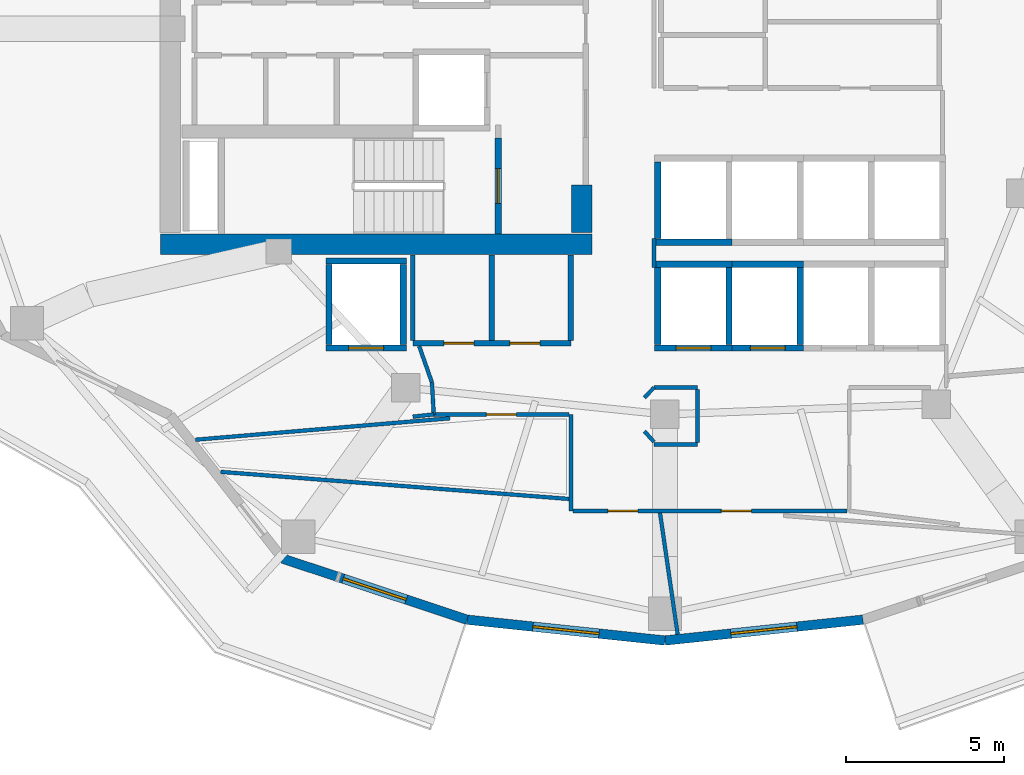
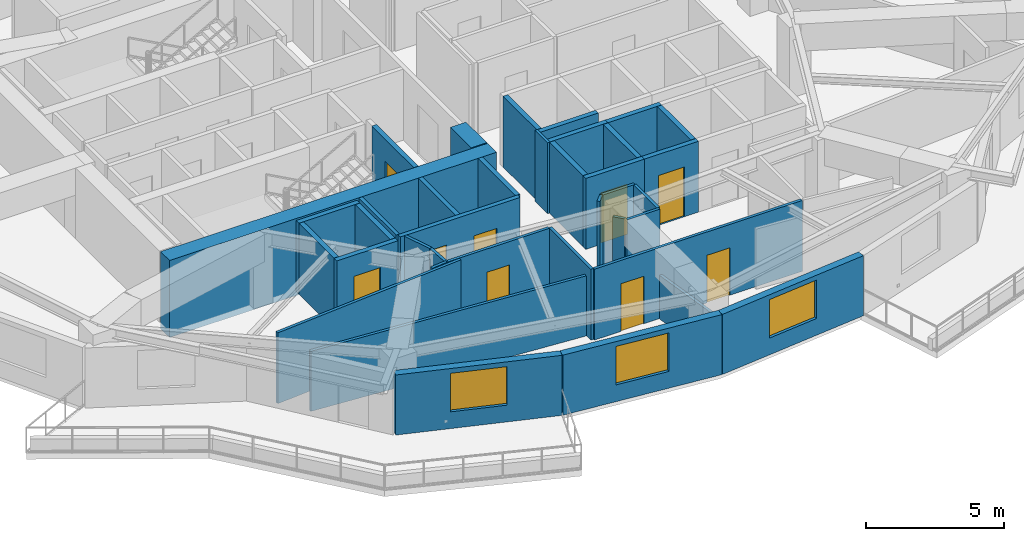
# One storey, part 3 of 12: 38 walls, 9 doors, 3 windows, 12 openings.
"""IFC4 building model written with IfcOpenShell, lengths in metres."""

from ifc_helpers import new_model, si_unit, direction, frame, frame_2d, origin, place, context, subcontext, project, spatial, rectangle, extrude, material, layer, layer_set, type_object, element, fill, save


model = new_model("IFC4")

# Units and contexts
model_context = context("Model", 3, precision=1e-05, world=origin(), true_north=direction((0.0, 1.0)))
body_context = subcontext(model_context, "Body", "Model", "MODEL_VIEW")
ifc_project = project(units=[si_unit("LENGTHUNIT", "METRE"), si_unit("AREAUNIT", "SQUARE_METRE"), si_unit("VOLUMEUNIT", "CUBIC_METRE"), si_unit("PLANEANGLEUNIT", "RADIAN"), si_unit("MASSUNIT", "GRAM", prefix="KILO")], contexts=[model_context])

# Site, building, storey
site_placement = place(None, origin())
site = spatial("IfcSite", under=ifc_project, at=site_placement, CompositionType="ELEMENT")
building_placement = place(site_placement, origin())
building = spatial("IfcBuilding", under=site, at=building_placement, Name="Kolvaren Gate Tower and Convention Centre", CompositionType="ELEMENT")
storey_placement = place(building_placement, frame((0.0, 0.0, 139.300048828125)))
storey = spatial("IfcBuildingStorey", under=building, at=storey_placement, Name="L35", CompositionType="ELEMENT", Elevation=139.300048828125)

# Wall, openings, doors
ifc_material_1 = material(Name="Autoclaved Aerated Masonry Blockwork Class 4 (4.0 MPa)", Category="masonry")
ifc_layer_1 = layer(ifc_material_1, 0.179931640625)
ifc_layer_set_1 = layer_set([ifc_layer_1], Name="Autoclaved Aerated Masonry Blockwork Class 4 (4.0 MPa)")
wall_type_1 = type_object("IfcWallType", Name="ARCH-WL-COMP-180", PredefinedType="SOLIDWALL", material=ifc_layer_set_1)
wall_1_placement = place(storey_placement, frame((22.14990234375, 17.050048828125, 0.0), z_axis=(0.0, 0.0, 1.0), x_axis=(1.0, 0.0, 0.0)))
wall_1 = element("IfcWall", 1, at=wall_1_placement, inside=storey, type_object=wall_type_1, Name="Interior Partition WL-L35-INT-011", PredefinedType="SOLIDWALL", context=body_context, shape_type="SweptSolid", body=[
    extrude(rectangle(XDim=5.0, YDim=0.179931640625, at=frame_2d((2.5, 0.0))), origin(), (0.0, 0.0, 1.0), 3.1298828125),
])
opening_1_placement = place(wall_1_placement, frame((0.97998046875, 0.0, 0.0)))
opening_1 = element("IfcOpeningElement", 2, at=opening_1_placement, cuts=wall_1, Name="Opening DR-01", PredefinedType="OPENING", context=body_context, shape_type="SweptSolid", body=[
    extrude(rectangle(XDim=0.949951171875, YDim=2.10009765625, at=frame_2d((0.47509765625, 1.050048828125))), frame((0.0, 0.099853515625, 0.0), z_axis=(0.0, -1.0, 0.0), x_axis=(1.0, 0.0, 0.0)), (0.0, 0.0, 1.0), 0.199951171875),
])
opening_2_placement = place(wall_1_placement, frame((3.070068359375, 0.0, 0.0)))
opening_2 = element("IfcOpeningElement", 3, at=opening_2_placement, cuts=wall_1, Name="Opening DR-01", PredefinedType="OPENING", context=body_context, shape_type="SweptSolid", body=[
    extrude(rectangle(XDim=0.949951171875, YDim=2.10009765625, at=frame_2d((0.47509765625, 1.050048828125))), frame((0.0, 0.099853515625, 0.0), z_axis=(0.0, -1.0, 0.0), x_axis=(1.0, 0.0, 0.0)), (0.0, 0.0, 1.0), 0.199951171875),
])
ifc_material_2 = material(Name="Painted Architectural Steelwork ASTM A500 Grade C 345 MPa", Category="steel")
door_type_1 = type_object("IfcDoorType", Name="ARCH-DR-RISER-950", OperationType="SINGLE_SWING_RIGHT", PredefinedType="DOOR", material=ifc_material_2)
door_1_placement = place(opening_1_placement, origin())
door_1 = element("IfcDoor", 4, at=door_1_placement, inside=storey, type_object=door_type_1, Name="West Valet Store Door", OperationType="SINGLE_SWING_LEFT", OverallHeight=2.10009765625, OverallWidth=0.949951171875, PredefinedType="DOOR", context=body_context, shape_type="SweptSolid", body=[
    extrude(rectangle(XDim=0.949951171875, YDim=2.10009765625, at=frame_2d((0.47509765625, 1.050048828125))), frame((0.0, 0.02490234375, 0.0), z_axis=(0.0, -1.0, 0.0), x_axis=(1.0, 0.0, 0.0)), (0.0, 0.0, 1.0), 0.050048828125),
])
fill(opening_1, door_1)
door_2_placement = place(opening_2_placement, origin())
door_2 = element("IfcDoor", 5, at=door_2_placement, inside=storey, type_object=door_type_1, Name="Metering Switch Room Door", OperationType="SINGLE_SWING_RIGHT", OverallHeight=2.10009765625, OverallWidth=0.949951171875, PredefinedType="DOOR", context=body_context, shape_type="SweptSolid", body=[
    extrude(rectangle(XDim=0.949951171875, YDim=2.10009765625, at=frame_2d((0.47509765625, 1.050048828125))), frame((0.0, 0.02490234375, 0.0), z_axis=(0.0, -1.0, 0.0), x_axis=(1.0, 0.0, 0.0)), (0.0, 0.0, 1.0), 0.050048828125),
])
fill(opening_2, door_2)

# Walls
for number, where, z_axis, x_axis, name in (
    (6, (24.64990234375, 17.14208984375, 0.0), (0.0, 0.0, 1.0), (0.0, 1.0, 0.0), "Interior Partition WL-L35-INT-013"),
    (7, (27.14990234375, 17.14208984375, 0.0), (0.0, 0.0, 1.0), (0.0, 1.0, 0.0), "Interior Partition WL-L35-INT-015"),
):
    element("IfcWall", number, at=place(storey_placement, frame(where, z_axis=z_axis, x_axis=x_axis)), inside=storey, type_object=wall_type_1, Name=name, PredefinedType="SOLIDWALL", context=body_context, shape_type="SweptSolid", body=[
        extrude(rectangle(XDim=2.705810546875, YDim=0.179931640625, at=frame_2d((1.35302734375, 0.0))), origin(), (0.0, 0.0, 1.0), 3.1298828125),
    ])
ifc_material_3 = material(Name="Fire-Rated Acoustic Gypsum Stud Partition", Category="gypsum")
ifc_layer_2 = layer(ifc_material_3, 0.1201171875)
ifc_layer_set_2 = layer_set([ifc_layer_2], Name="Fire-Rated Acoustic Gypsum Stud Partition")
wall_type_2 = type_object("IfcWallType", Name="ARCH-WL-PART-120", PredefinedType="PARTITIONING", material=ifc_layer_set_2)
wall_2_placement = place(storey_placement, frame((27.14990234375, 11.75, 0.0), z_axis=(0.0, 0.0, 1.0), x_axis=(0.0, 1.0, 0.0)))
element("IfcWall", 8, at=wall_2_placement, inside=storey, type_object=wall_type_2, Name="Interior Partition WL-L35-INT-014", PredefinedType="PARTITIONING", context=body_context, shape_type="SweptSolid", body=[
    extrude(rectangle(XDim=3.050048828125, YDim=0.1201171875, at=frame_2d((1.52490234375, 0.0))), origin(), (0.0, 0.0, 1.0), 3.1298828125),
])
wall_3_placement = place(storey_placement, frame((29.780029296875, 15.64990234375, 0.0), z_axis=(0.0, 0.0, 1.0), x_axis=(1.0, 0.0, 0.0)))
element("IfcWall", 9, at=wall_3_placement, inside=storey, type_object=wall_type_2, Name="Interior Partition WL-L35-INT-029", PredefinedType="PARTITIONING", context=body_context, shape_type="SweptSolid", body=[
    extrude(rectangle(XDim=1.369873046875, YDim=0.1201171875, at=frame_2d((0.68505859375, 0.0))), origin(), (0.0, 0.0, 1.0), 3.1298828125),
])

# Wall, openings, doors
wall_4_placement = place(storey_placement, frame((27.2119140625, 11.75, 0.0), z_axis=(0.0, 0.0, 1.0), x_axis=(1.0, 0.0, 0.0)))
wall_4 = element("IfcWall", 10, at=wall_4_placement, inside=storey, type_object=wall_type_2, Name="Interior Partition WL-L35-INT-032", PredefinedType="PARTITIONING", context=body_context, shape_type="SweptSolid", body=[
    extrude(rectangle(XDim=8.676025390625, YDim=0.1201171875, at=frame_2d((4.337890625, 0.0))), origin(), (0.0, 0.0, 1.0), 3.1298828125),
])
opening_3_placement = place(wall_4_placement, frame((1.105224609375, 0.0, 0.0)))
opening_3 = element("IfcOpeningElement", 11, at=opening_3_placement, cuts=wall_4, Name="Opening DR-01", PredefinedType="OPENING", context=body_context, shape_type="SweptSolid", body=[
    extrude(rectangle(XDim=0.949951171875, YDim=2.10009765625, at=frame_2d((0.47509765625, 1.050048828125))), frame((0.0, 0.070068359375, 0.0), z_axis=(0.0, -1.0, 0.0), x_axis=(1.0, 0.0, 0.0)), (0.0, 0.0, 1.0), 0.14013671875),
])
opening_4_placement = place(wall_4_placement, frame((4.697509765625, 0.0, 0.0)))
opening_4 = element("IfcOpeningElement", 12, at=opening_4_placement, cuts=wall_4, Name="Opening DR-01", PredefinedType="OPENING", context=body_context, shape_type="SweptSolid", body=[
    extrude(rectangle(XDim=0.949951171875, YDim=2.10009765625, at=frame_2d((0.47509765625, 1.050048828125))), frame((0.0, 0.070068359375, 0.0), z_axis=(0.0, -1.0, 0.0), x_axis=(1.0, 0.0, 0.0)), (0.0, 0.0, 1.0), 0.14013671875),
])
door_3_placement = place(opening_3_placement, origin())
door_3 = element("IfcDoor", 13, at=door_3_placement, inside=storey, type_object=door_type_1, Name="Atrium Concierge Reception Door", OperationType="SINGLE_SWING_LEFT", OverallHeight=2.10009765625, OverallWidth=0.949951171875, PredefinedType="DOOR", context=body_context, shape_type="SweptSolid", body=[
    extrude(rectangle(XDim=0.949951171875, YDim=2.10009765625, at=frame_2d((0.47509765625, 1.050048828125))), frame((0.0, 0.02490234375, 0.0), z_axis=(0.0, -1.0, 0.0), x_axis=(1.0, 0.0, 0.0)), (0.0, 0.0, 1.0), 0.050048828125),
])
fill(opening_3, door_3)
door_4_placement = place(opening_4_placement, origin())
door_4 = element("IfcDoor", 14, at=door_4_placement, inside=storey, type_object=door_type_1, Name="Hotel Sky Banquet Salon Door", OperationType="SINGLE_SWING_RIGHT", OverallHeight=2.10009765625, OverallWidth=0.949951171875, PredefinedType="DOOR", context=body_context, shape_type="SweptSolid", body=[
    extrude(rectangle(XDim=0.949951171875, YDim=2.10009765625, at=frame_2d((0.47509765625, 1.050048828125))), frame((0.0, 0.02490234375, 0.0), z_axis=(0.0, -1.0, 0.0), x_axis=(1.0, 0.0, 0.0)), (0.0, 0.0, 1.0), 0.050048828125),
])
fill(opening_4, door_4)

# Wall, opening, door
wall_5_placement = place(storey_placement, frame((22.81396484375, 14.800048828125, 0.0), z_axis=(0.0, 0.0, 1.0), x_axis=(1.0, 0.0, 0.0)))
wall_5 = element("IfcWall", 15, at=wall_5_placement, inside=storey, type_object=wall_type_2, Name="Interior Partition WL-L35-INT-033", PredefinedType="PARTITIONING", context=body_context, shape_type="SweptSolid", body=[
    extrude(rectangle(XDim=4.27392578125, YDim=0.1201171875, at=frame_2d((2.136962890625, 0.0))), origin(), (0.0, 0.0, 1.0), 3.1298828125),
])
opening_5_placement = place(wall_5_placement, frame((1.662109375, 0.0, 0.0)))
opening_5 = element("IfcOpeningElement", 16, at=opening_5_placement, cuts=wall_5, Name="Opening DR-01", PredefinedType="OPENING", context=body_context, shape_type="SweptSolid", body=[
    extrude(rectangle(XDim=0.949951171875, YDim=2.10009765625, at=frame_2d((0.47509765625, 1.050048828125))), frame((0.0, 0.070068359375, 0.0), z_axis=(0.0, -1.0, 0.0), x_axis=(1.0, 0.0, 0.0)), (0.0, 0.0, 1.0), 0.14013671875),
])
door_5_placement = place(opening_5_placement, origin())
door_5 = element("IfcDoor", 17, at=door_5_placement, inside=storey, type_object=door_type_1, Name="Hotel Sky Banquet Salon Door", OperationType="SINGLE_SWING_RIGHT", OverallHeight=2.10009765625, OverallWidth=0.949951171875, PredefinedType="DOOR", context=body_context, shape_type="SweptSolid", body=[
    extrude(rectangle(XDim=0.949951171875, YDim=2.10009765625, at=frame_2d((0.47509765625, 1.050048828125))), frame((0.0, 0.02490234375, 0.0), z_axis=(0.0, -1.0, 0.0), x_axis=(1.0, 0.0, 0.0)), (0.0, 0.0, 1.0), 0.050048828125),
])
fill(opening_5, door_5)

# Walls
wall_6_placement = place(storey_placement, frame((22.756103515625, 15.81103515625, 0.0), z_axis=(0.0, 0.0, 1.0), x_axis=(0.057139047697, -0.998366230012, 0.0)))
element("IfcWall", 18, at=wall_6_placement, inside=storey, type_object=wall_type_2, Name="Interior Partition WL-L35-INT-035", PredefinedType="PARTITIONING", context=body_context, shape_type="SweptSolid", body=[
    extrude(rectangle(XDim=1.0126953125, YDim=0.1201171875, at=frame_2d((0.50634765625, 0.0))), origin(), (0.0, 0.0, 1.0), 3.1298828125),
])
wall_7_placement = place(storey_placement, frame((22.353271484375, 16.9580078125, 0.0), z_axis=(0.0, 0.0, 1.0), x_axis=(0.331370038458, -0.943500873138, 0.0)))
element("IfcWall", 19, at=wall_7_placement, inside=storey, type_object=wall_type_2, Name="Interior Partition WL-L35-INT-036", PredefinedType="PARTITIONING", context=body_context, shape_type="SweptSolid", body=[
    extrude(rectangle(XDim=1.215576171875, YDim=0.1201171875, at=frame_2d((0.60791015625, 0.0))), origin(), (0.0, 0.0, 1.0), 3.1298828125),
])
wall_8_placement = place(storey_placement, frame((29.780029296875, 19.43994140625, 0.0), z_axis=(0.0, 0.0, 1.0), x_axis=(0.0, 1.0, 0.0)))
element("IfcWall", 20, at=wall_8_placement, inside=storey, type_object=wall_type_2, Name="Interior Partition WL-L35-INT-039", PredefinedType="PARTITIONING", context=body_context, shape_type="SweptSolid", body=[
    extrude(rectangle(XDim=0.920166015625, YDim=0.1201171875, at=frame_2d((0.4599609375, 0.0))), origin(), (0.0, 0.0, 1.0), 3.1298828125),
])
wall_9_placement = place(storey_placement, frame((29.47607421875, 15.3330078125, 0.0), z_axis=(0.0, 0.0, 1.0), x_axis=(0.692219273951, 0.721687243043, 0.0)))
element("IfcWall", 21, at=wall_9_placement, inside=storey, type_object=wall_type_2, Name="Interior Partition WL-L35-INT-055", PredefinedType="PARTITIONING", context=body_context, shape_type="SweptSolid", body=[
    extrude(rectangle(XDim=0.439208984375, YDim=0.1201171875, at=frame_2d((0.2197265625, 0.0))), origin(), (0.0, 0.0, 1.0), 3.1298828125),
])
wall_10_placement = place(storey_placement, frame((29.47607421875, 14.26708984375, 0.0), z_axis=(0.0, 0.0, 1.0), x_axis=(0.670659392016, -0.741765448037, 0.0)))
element("IfcWall", 22, at=wall_10_placement, inside=storey, type_object=wall_type_2, Name="Interior Partition WL-L35-INT-056", PredefinedType="PARTITIONING", context=body_context, shape_type="SweptSolid", body=[
    extrude(rectangle(XDim=0.453125, YDim=0.1201171875, at=frame_2d((0.2265625, 0.0))), origin(), (0.0, 0.0, 1.0), 3.1298828125),
])
wall_11_placement = place(storey_placement, frame((29.780029296875, 13.85009765625, 0.0), z_axis=(0.0, 0.0, 1.0), x_axis=(1.0, 0.0, 0.0)))
element("IfcWall", 23, at=wall_11_placement, inside=storey, type_object=wall_type_2, Name="Interior Partition WL-L35-INT-057", PredefinedType="PARTITIONING", context=body_context, shape_type="SweptSolid", body=[
    extrude(rectangle(XDim=1.369873046875, YDim=0.1201171875, at=frame_2d((0.68505859375, 0.0))), origin(), (0.0, 0.0, 1.0), 3.1298828125),
])
wall_12_placement = place(storey_placement, frame((31.14990234375, 13.912109375, 0.0), z_axis=(0.0, 0.0, 1.0), x_axis=(0.0, 1.0, 0.0)))
element("IfcWall", 24, at=wall_12_placement, inside=storey, type_object=wall_type_2, Name="Interior Partition WL-L35-INT-058", PredefinedType="PARTITIONING", context=body_context, shape_type="SweptSolid", body=[
    extrude(rectangle(XDim=1.67578125, YDim=0.1201171875, at=frame_2d((0.837890625, 0.0))), origin(), (0.0, 0.0, 1.0), 3.1298828125),
])
wall_13_placement = place(storey_placement, frame((15.282470703125, 14.000244140625, 0.0), z_axis=(0.0, 0.0, 1.0), x_axis=(0.996466219822, 0.083994480498, 0.0)))
element("IfcWall", 25, at=wall_13_placement, inside=storey, type_object=wall_type_2, Name="Interior Partition WL-L35-INT-059", PredefinedType="PARTITIONING", context=body_context, shape_type="SweptSolid", body=[
    extrude(rectangle(XDim=8.06884765625, YDim=0.1201171875, at=frame_2d((4.034423828125, 0.0))), origin(), (0.0, 0.0, 1.0), 3.1298828125),
])
wall_14_placement = place(storey_placement, frame((16.07763671875, 12.984619140625, 0.0), z_axis=(0.0, 0.0, 1.0), x_axis=(0.996984897733, -0.077595835537, 0.0)))
element("IfcWall", 26, at=wall_14_placement, inside=storey, type_object=wall_type_2, Name="Interior Partition WL-L35-INT-061", PredefinedType="PARTITIONING", context=body_context, shape_type="SweptSolid", body=[
    extrude(rectangle(XDim=11.04345703125, YDim=0.1201171875, at=frame_2d((5.521728515625, 0.0))), origin(), (0.0, 0.0, 1.0), 2.65283203125),
])
wall_15_placement = place(storey_placement, frame((29.968994140625, 11.68798828125, 0.0), z_axis=(0.0, 0.0, 1.0), x_axis=(0.143603994305, -0.989635232204, 0.0)))
element("IfcWall", 27, at=wall_15_placement, inside=storey, type_object=wall_type_2, Name="Interior Partition WL-L35-INT-063", PredefinedType="PARTITIONING", context=body_context, shape_type="SweptSolid", body=[
    extrude(rectangle(XDim=3.883056640625, YDim=0.1201171875, at=frame_2d((1.94140625, 0.0))), origin(), (0.0, 0.0, 1.0), 1.92236328125),
])
wall_16_placement = place(storey_placement, frame((22.15087890625, 14.729736328125, 0.0), z_axis=(0.0, 0.0, 1.0), x_axis=(0.994424911767, 0.105447118774, 0.0)))
element("IfcWall", 28, at=wall_16_placement, inside=storey, type_object=wall_type_2, Name="Interior Partition WL-L35-INT-084", PredefinedType="PARTITIONING", context=body_context, shape_type="SweptSolid", body=[
    extrude(rectangle(XDim=0.666748046875, YDim=0.1201171875, at=frame_2d((0.33349609375, 0.0))), origin(), (0.0, 0.0, 1.0), 3.1298828125),
])
ifc_layer_3 = layer(ifc_material_1, 0.199951171875)
ifc_layer_set_3 = layer_set([ifc_layer_3], Name="Autoclaved Aerated Masonry Blockwork Class 4 (4.0 MPa)")
wall_type_3 = type_object("IfcWallType", Name="ARCH-WL-SHAFT-200", PredefinedType="SOLIDWALL", material=ifc_layer_set_3)
wall_17_placement = place(storey_placement, frame((19.39990234375, 19.64990234375, 0.0), z_axis=(0.0, 0.0, 1.0), x_axis=(1.0, 0.0, 0.0)))
element("IfcWall", 29, at=wall_17_placement, inside=storey, type_object=wall_type_3, Name="Elevator SV-01 L35 Fire Shaft Wall N", PredefinedType="SOLIDWALL", context=body_context, shape_type="SweptSolid", body=[
    extrude(rectangle(XDim=2.550048828125, YDim=0.199951171875, at=frame_2d((1.27490234375, 0.0))), origin(), (0.0, 0.0, 1.0), 3.1298828125),
])

# Wall, opening, door
wall_18_placement = place(storey_placement, frame((19.39990234375, 16.89990234375, 0.0), z_axis=(0.0, 0.0, 1.0), x_axis=(1.0, 0.0, 0.0)))
wall_18 = element("IfcWall", 30, at=wall_18_placement, inside=storey, type_object=wall_type_3, Name="Elevator SV-01 L35 Fire Shaft Wall S", PredefinedType="SOLIDWALL", context=body_context, shape_type="SweptSolid", body=[
    extrude(rectangle(XDim=2.550048828125, YDim=0.199951171875, at=frame_2d((1.27490234375, 0.0))), origin(), (0.0, 0.0, 1.0), 3.1298828125),
])
opening_6_placement = place(wall_18_placement, frame((0.72509765625, 0.0, 0.0)))
opening_6 = element("IfcOpeningElement", 31, at=opening_6_placement, cuts=wall_18, Name="Opening LD", PredefinedType="OPENING", context=body_context, shape_type="SweptSolid", body=[
    extrude(rectangle(XDim=1.10009765625, YDim=2.199951171875, at=frame_2d((0.550048828125, 1.10009765625))), frame((0.0, 0.10986328125, 0.0), z_axis=(0.0, -1.0, 0.0), x_axis=(1.0, 0.0, 0.0)), (0.0, 0.0, 1.0), 0.219970703125),
])
ifc_material_4 = material(Name="Brushed Stainless Steel Grade 316L", Category="steel")
door_type_2 = type_object("IfcDoorType", Name="ARCH-DR-LIFT-1100", OperationType="SLIDING_TO_LEFT", PredefinedType="DOOR", material=ifc_material_4)
door_6_placement = place(opening_6_placement, origin())
door_6 = element("IfcDoor", 32, at=door_6_placement, inside=storey, type_object=door_type_2, Name="Elevator SV-01 L35 Sliding Landing Door", OperationType="SLIDING_TO_LEFT", OverallHeight=2.199951171875, OverallWidth=1.10009765625, PredefinedType="DOOR", context=body_context, shape_type="SweptSolid", body=[
    extrude(rectangle(XDim=1.10009765625, YDim=2.199951171875, at=frame_2d((0.550048828125, 1.10009765625))), frame((0.0, 0.02490234375, 0.0), z_axis=(0.0, -1.0, 0.0), x_axis=(1.0, 0.0, 0.0)), (0.0, 0.0, 1.0), 0.050048828125),
])
fill(opening_6, door_6)

# Walls
for number, where, z_axis, x_axis, name in (
    (33, (19.5, 17.010009765625, 0.0), (0.0, 0.0, 1.0), (0.0, 1.0, 0.0), "Elevator SV-01 L35 Fire Shaft Wall W"),
    (34, (21.85009765625, 17.010009765625, 0.0), (0.0, 0.0, 1.0), (0.0, 1.0, 0.0), "Elevator SV-01 L35 Fire Shaft Wall E"),
):
    element("IfcWall", number, at=place(storey_placement, frame(where, z_axis=z_axis, x_axis=x_axis)), inside=storey, type_object=wall_type_3, Name=name, PredefinedType="SOLIDWALL", context=body_context, shape_type="SweptSolid", body=[
        extrude(rectangle(XDim=2.530029296875, YDim=0.199951171875, at=frame_2d((1.26513671875, 0.0))), origin(), (0.0, 0.0, 1.0), 3.1298828125),
    ])
wall_19_placement = place(storey_placement, frame((29.800048828125, 19.550048828125, 0.0), z_axis=(0.0, 0.0, 1.0), x_axis=(1.0, 0.0, 0.0)))
element("IfcWall", 35, at=wall_19_placement, inside=storey, type_object=wall_type_3, Name="Elevator PL-05 L35 Fire Shaft Wall N", PredefinedType="SOLIDWALL", context=body_context, shape_type="SweptSolid", body=[
    extrude(rectangle(XDim=2.449951171875, YDim=0.199951171875, at=frame_2d((1.22509765625, 0.0))), origin(), (0.0, 0.0, 1.0), 3.1298828125),
])

# Wall, opening, door
wall_20_placement = place(storey_placement, frame((29.800048828125, 16.89990234375, 0.0), z_axis=(0.0, 0.0, 1.0), x_axis=(1.0, 0.0, 0.0)))
wall_20 = element("IfcWall", 36, at=wall_20_placement, inside=storey, type_object=wall_type_3, Name="Elevator PL-05 L35 Fire Shaft Wall S", PredefinedType="SOLIDWALL", context=body_context, shape_type="SweptSolid", body=[
    extrude(rectangle(XDim=2.449951171875, YDim=0.199951171875, at=frame_2d((1.22509765625, 0.0))), origin(), (0.0, 0.0, 1.0), 3.1298828125),
])
opening_7_placement = place(wall_20_placement, frame((0.675048828125, 0.0, 0.0)))
opening_7 = element("IfcOpeningElement", 37, at=opening_7_placement, cuts=wall_20, Name="Opening LD", PredefinedType="OPENING", context=body_context, shape_type="SweptSolid", body=[
    extrude(rectangle(XDim=1.10009765625, YDim=2.199951171875, at=frame_2d((0.550048828125, 1.10009765625))), frame((0.0, 0.10986328125, 0.0), z_axis=(0.0, -1.0, 0.0), x_axis=(1.0, 0.0, 0.0)), (0.0, 0.0, 1.0), 0.219970703125),
])
door_7_placement = place(opening_7_placement, origin())
door_7 = element("IfcDoor", 38, at=door_7_placement, inside=storey, type_object=door_type_2, Name="Elevator PL-05 L35 Sliding Landing Door", OperationType="SLIDING_TO_LEFT", OverallHeight=2.199951171875, OverallWidth=1.10009765625, PredefinedType="DOOR", context=body_context, shape_type="SweptSolid", body=[
    extrude(rectangle(XDim=1.10009765625, YDim=2.199951171875, at=frame_2d((0.550048828125, 1.10009765625))), frame((0.0, 0.02490234375, 0.0), z_axis=(0.0, -1.0, 0.0), x_axis=(1.0, 0.0, 0.0)), (0.0, 0.0, 1.0), 0.050048828125),
])
fill(opening_7, door_7)

# Walls
for number, where, z_axis, x_axis, name in (
    (39, (29.89990234375, 17.010009765625, 0.0), (0.0, 0.0, 1.0), (0.0, 1.0, 0.0), "Elevator PL-05 L35 Fire Shaft Wall W"),
    (40, (32.14990234375, 17.010009765625, 0.0), (0.0, 0.0, 1.0), (0.0, 1.0, 0.0), "Elevator PL-05 L35 Fire Shaft Wall E"),
):
    element("IfcWall", number, at=place(storey_placement, frame(where, z_axis=z_axis, x_axis=x_axis)), inside=storey, type_object=wall_type_3, Name=name, PredefinedType="SOLIDWALL", context=body_context, shape_type="SweptSolid", body=[
        extrude(rectangle(XDim=2.429931640625, YDim=0.199951171875, at=frame_2d((1.21484375, 0.0))), origin(), (0.0, 0.0, 1.0), 3.1298828125),
    ])
wall_21_placement = place(storey_placement, frame((32.25, 19.550048828125, 0.0), z_axis=(0.0, 0.0, 1.0), x_axis=(1.0, 0.0, 0.0)))
element("IfcWall", 41, at=wall_21_placement, inside=storey, type_object=wall_type_3, Name="Elevator PL-06 L35 Fire Shaft Wall N", PredefinedType="SOLIDWALL", context=body_context, shape_type="SweptSolid", body=[
    extrude(rectangle(XDim=2.25, YDim=0.199951171875, at=frame_2d((1.125, 0.0))), origin(), (0.0, 0.0, 1.0), 3.1298828125),
])

# Wall, opening, door
wall_22_placement = place(storey_placement, frame((32.25, 16.89990234375, 0.0), z_axis=(0.0, 0.0, 1.0), x_axis=(1.0, 0.0, 0.0)))
wall_22 = element("IfcWall", 42, at=wall_22_placement, inside=storey, type_object=wall_type_3, Name="Elevator PL-06 L35 Fire Shaft Wall S", PredefinedType="SOLIDWALL", context=body_context, shape_type="SweptSolid", body=[
    extrude(rectangle(XDim=2.25, YDim=0.199951171875, at=frame_2d((1.125, 0.0))), origin(), (0.0, 0.0, 1.0), 3.1298828125),
])
opening_8_placement = place(wall_22_placement, frame((0.574951171875, 0.0, 0.0)))
opening_8 = element("IfcOpeningElement", 43, at=opening_8_placement, cuts=wall_22, Name="Opening LD", PredefinedType="OPENING", context=body_context, shape_type="SweptSolid", body=[
    extrude(rectangle(XDim=1.10009765625, YDim=2.199951171875, at=frame_2d((0.550048828125, 1.10009765625))), frame((0.0, 0.10986328125, 0.0), z_axis=(0.0, -1.0, 0.0), x_axis=(1.0, 0.0, 0.0)), (0.0, 0.0, 1.0), 0.219970703125),
])
door_8_placement = place(opening_8_placement, origin())
door_8 = element("IfcDoor", 44, at=door_8_placement, inside=storey, type_object=door_type_2, Name="Elevator PL-06 L35 Sliding Landing Door", OperationType="SLIDING_TO_LEFT", OverallHeight=2.199951171875, OverallWidth=1.10009765625, PredefinedType="DOOR", context=body_context, shape_type="SweptSolid", body=[
    extrude(rectangle(XDim=1.10009765625, YDim=2.199951171875, at=frame_2d((0.550048828125, 1.10009765625))), frame((0.0, 0.02490234375, 0.0), z_axis=(0.0, -1.0, 0.0), x_axis=(1.0, 0.0, 0.0)), (0.0, 0.0, 1.0), 0.050048828125),
])
fill(opening_8, door_8)

# Walls
wall_23_placement = place(storey_placement, frame((34.39990234375, 17.010009765625, 0.0), z_axis=(0.0, 0.0, 1.0), x_axis=(0.0, 1.0, 0.0)))
element("IfcWall", 45, at=wall_23_placement, inside=storey, type_object=wall_type_3, Name="Elevator PL-06 L35 Fire Shaft Wall E", PredefinedType="SOLIDWALL", context=body_context, shape_type="SweptSolid", body=[
    extrude(rectangle(XDim=2.429931640625, YDim=0.199951171875, at=frame_2d((1.21484375, 0.0))), origin(), (0.0, 0.0, 1.0), 3.1298828125),
])
wall_24_placement = place(storey_placement, frame((29.800048828125, 20.25, 0.0), z_axis=(0.0, 0.0, 1.0), x_axis=(1.0, 0.0, 0.0)))
element("IfcWall", 46, at=wall_24_placement, inside=storey, type_object=wall_type_3, Name="Elevator PL-09 L35 Fire Shaft Wall S", PredefinedType="SOLIDWALL", context=body_context, shape_type="SweptSolid", body=[
    extrude(rectangle(XDim=2.449951171875, YDim=0.199951171875, at=frame_2d((1.22509765625, 0.0))), origin(), (0.0, 0.0, 1.0), 3.1298828125),
])
wall_25_placement = place(storey_placement, frame((29.89990234375, 20.360107421875, 0.0), z_axis=(0.0, 0.0, 1.0), x_axis=(0.0, 1.0, 0.0)))
element("IfcWall", 47, at=wall_25_placement, inside=storey, type_object=wall_type_3, Name="Elevator PL-09 L35 Fire Shaft Wall W", PredefinedType="SOLIDWALL", context=body_context, shape_type="SweptSolid", body=[
    extrude(rectangle(XDim=2.429931640625, YDim=0.199951171875, at=frame_2d((1.21484375, 0.0))), origin(), (0.0, 0.0, 1.0), 3.1298828125),
])

# Wall, opening, window
ifc_material_5 = material(Name="Piedmont Cream Honed Limestone Cladding", Category="masonry")
ifc_layer_4 = layer(ifc_material_5, 0.300048828125)
ifc_layer_set_4 = layer_set([ifc_layer_4], Name="Piedmont Cream Honed Limestone Cladding")
wall_type_4 = type_object("IfcWallType", Name="ARCH-WL-STONE-300", PredefinedType="SOLIDWALL", material=ifc_layer_set_4)
wall_26_placement = place(storey_placement, frame((18.03125, 10.242431640625, 0.0), z_axis=(0.0, 0.0, 1.0), x_axis=(0.949238009374, -0.314558741032, 0.0)))
wall_26 = element("IfcWall", 48, at=wall_26_placement, inside=storey, type_object=wall_type_4, Name="Tower L35 Honed Stone Spandrel Wall EW-16", PredefinedType="SOLIDWALL", context=body_context, shape_type="SweptSolid", body=[
    extrude(rectangle(XDim=6.1455078125, YDim=0.300048828125, at=frame_2d((3.07275390625, 0.0))), origin(), (0.0, 0.0, 1.0), 2.65283203125),
])
opening_9_placement = place(wall_26_placement, frame((2.02294921875, 0.0, 0.739990234375)))
opening_9 = element("IfcOpeningElement", 49, at=opening_9_placement, cuts=wall_26, Name="Opening W-02", PredefinedType="OPENING", context=body_context, shape_type="SweptSolid", body=[
    extrude(rectangle(XDim=2.10009765625, YDim=1.699951171875, at=frame_2d((1.050048828125, 0.85009765625))), frame((0.0, 0.159912109375, 0.0), z_axis=(0.0, -1.0, 0.0), x_axis=(1.0, 0.0, 0.0)), (0.0, 0.0, 1.0), 0.320068359375),
])
ifc_material_6 = material(Name="Low-E Triple Insulated Glazing Unit 44 mm", Category="glass")
window_type = type_object("IfcWindowType", Name="ARCH-WN-HTL-2100", PartitioningType="SINGLE_PANEL", PredefinedType="WINDOW", material=ifc_material_6)
window_1_placement = place(opening_9_placement, origin())
window_1 = element("IfcWindow", 50, at=window_1_placement, inside=storey, type_object=window_type, Name="Tower L35 Punched Stone Facade Window W-16", OverallHeight=1.699951171875, OverallWidth=2.10009765625, PartitioningType="SINGLE_PANEL", PredefinedType="WINDOW", context=body_context, shape_type="SweptSolid", body=[
    extrude(rectangle(XDim=2.10009765625, YDim=1.699951171875, at=frame_2d((1.050048828125, 0.85009765625))), frame((0.0, 0.030029296875, 0.0), z_axis=(0.0, -1.0, 0.0), x_axis=(1.0, 0.0, 0.0)), (0.0, 0.0, 1.0), 0.06005859375),
])
fill(opening_9, window_1)

wall_27_placement = place(storey_placement, frame((23.86474609375, 8.309326171875, 0.0), z_axis=(0.0, 0.0, 1.0), x_axis=(0.994498012394, -0.104755445421, 0.0)))
wall_27 = element("IfcWall", 51, at=wall_27_placement, inside=storey, type_object=wall_type_4, Name="Tower L35 Honed Stone Spandrel Wall EW-17", PredefinedType="SOLIDWALL", context=body_context, shape_type="SweptSolid", body=[
    extrude(rectangle(XDim=6.294921875, YDim=0.300048828125, at=frame_2d((3.1474609375, 0.0))), origin(), (0.0, 0.0, 1.0), 2.65283203125),
])
opening_10_placement = place(wall_27_placement, frame((2.096923828125, 0.0, 0.739990234375)))
opening_10 = element("IfcOpeningElement", 52, at=opening_10_placement, cuts=wall_27, Name="Opening W-02", PredefinedType="OPENING", context=body_context, shape_type="SweptSolid", body=[
    extrude(rectangle(XDim=2.10009765625, YDim=1.699951171875, at=frame_2d((1.050048828125, 0.85009765625))), frame((0.0, 0.159912109375, 0.0), z_axis=(0.0, -1.0, 0.0), x_axis=(1.0, 0.0, 0.0)), (0.0, 0.0, 1.0), 0.320068359375),
])
window_2_placement = place(opening_10_placement, origin())
window_2 = element("IfcWindow", 53, at=window_2_placement, inside=storey, type_object=window_type, Name="Tower L35 Punched Stone Facade Window W-17", OverallHeight=1.699951171875, OverallWidth=2.10009765625, PartitioningType="SINGLE_PANEL", PredefinedType="WINDOW", context=body_context, shape_type="SweptSolid", body=[
    extrude(rectangle(XDim=2.10009765625, YDim=1.699951171875, at=frame_2d((1.050048828125, 0.85009765625))), frame((0.0, 0.030029296875, 0.0), z_axis=(0.0, -1.0, 0.0), x_axis=(1.0, 0.0, 0.0)), (0.0, 0.0, 1.0), 0.06005859375),
])
fill(opening_10, window_2)

wall_28_placement = place(storey_placement, frame((30.125, 7.64990234375, 0.0), z_axis=(0.0, 0.0, 1.0), x_axis=(0.994498012394, 0.104755445421, 0.0)))
wall_28 = element("IfcWall", 54, at=wall_28_placement, inside=storey, type_object=wall_type_4, Name="Tower L35 Honed Stone Spandrel Wall EW-18", PredefinedType="SOLIDWALL", context=body_context, shape_type="SweptSolid", body=[
    extrude(rectangle(XDim=6.294921875, YDim=0.300048828125, at=frame_2d((3.1474609375, 0.0))), origin(), (0.0, 0.0, 1.0), 2.65283203125),
])
opening_11_placement = place(wall_28_placement, frame((2.096923828125, 0.0, 0.739990234375)))
opening_11 = element("IfcOpeningElement", 55, at=opening_11_placement, cuts=wall_28, Name="Opening W-02", PredefinedType="OPENING", context=body_context, shape_type="SweptSolid", body=[
    extrude(rectangle(XDim=2.10009765625, YDim=1.699951171875, at=frame_2d((1.050048828125, 0.85009765625))), frame((0.0, 0.159912109375, 0.0), z_axis=(0.0, -1.0, 0.0), x_axis=(1.0, 0.0, 0.0)), (0.0, 0.0, 1.0), 0.320068359375),
])
window_3_placement = place(opening_11_placement, origin())
window_3 = element("IfcWindow", 56, at=window_3_placement, inside=storey, type_object=window_type, Name="Tower L35 Punched Stone Facade Window W-18", OverallHeight=1.699951171875, OverallWidth=2.10009765625, PartitioningType="SINGLE_PANEL", PredefinedType="WINDOW", context=body_context, shape_type="SweptSolid", body=[
    extrude(rectangle(XDim=2.10009765625, YDim=1.699951171875, at=frame_2d((1.050048828125, 0.85009765625))), frame((0.0, 0.030029296875, 0.0), z_axis=(0.0, -1.0, 0.0), x_axis=(1.0, 0.0, 0.0)), (0.0, 0.0, 1.0), 0.06005859375),
])
fill(opening_11, window_3)

# Walls
ifc_material_7 = material(Name="Moisture-Resistant Cement-Board Acoustic Partition", Category="gypsum")
ifc_layer_5 = layer(ifc_material_7, 0.14990234375)
ifc_layer_set_5 = layer_set([ifc_layer_5], Name="Moisture-Resistant Cement-Board Acoustic Partition")
wall_type_5 = type_object("IfcWallType", Name="ARCH-WL-WET-150", PredefinedType="PARTITIONING", material=ifc_layer_set_5)
wall_29_placement = place(storey_placement, frame((22.14990234375, 17.14208984375, 0.0), z_axis=(0.0, 0.0, 1.0), x_axis=(0.0, 1.0, 0.0)))
element("IfcWall", 57, at=wall_29_placement, inside=storey, type_object=wall_type_5, Name="Interior Partition WL-L35-INT-012", PredefinedType="PARTITIONING", context=body_context, shape_type="SweptSolid", body=[
    extrude(rectangle(XDim=2.705810546875, YDim=0.14990234375, at=frame_2d((1.35302734375, 0.0))), origin(), (0.0, 0.0, 1.0), 3.1298828125),
])
ifc_material_8 = material(Name="Concrete C60/75", Category="concrete")
ifc_layer_6 = layer(ifc_material_8, 0.64990234375)
ifc_layer_set_6 = layer_set([ifc_layer_6], Name="Concrete C60/75")
wall_type_6 = type_object("IfcWallType", Name="STR-WL-CORE-650", PredefinedType="SHEAR", material=ifc_layer_set_6)
wall_30_placement = place(storey_placement, frame((14.175048828125, 20.175048828125, -0.27001953125), z_axis=(0.0, 0.0, 1.0), x_axis=(1.0, 0.0, 0.0)))
element("IfcWall", 58, at=wall_30_placement, inside=storey, type_object=wall_type_6, Name="Tower L35 Offset Core Shear Wall S", PredefinedType="SHEAR", context=body_context, shape_type="SweptSolid", body=[
    extrude(rectangle(XDim=13.64990234375, YDim=0.64990234375, at=frame_2d((6.824951171875, 0.0))), origin(), (0.0, 0.0, 1.0), 3.39990234375),
])
wall_31_placement = place(storey_placement, frame((27.5, 20.550048828125, -0.27001953125), z_axis=(0.0, 0.0, 1.0), x_axis=(0.0, 1.0, 0.0)))
element("IfcWall", 59, at=wall_31_placement, inside=storey, type_object=wall_type_6, Name="Tower L35 Offset Core Shear Wall ES", PredefinedType="SHEAR", context=body_context, shape_type="SweptSolid", body=[
    extrude(rectangle(XDim=1.5, YDim=0.64990234375, at=frame_2d((0.75, 0.0))), origin(), (0.0, 0.0, 1.0), 3.39990234375),
])

# Wall, opening, door
ifc_material_9 = material(Name="Concrete C50/60", Category="concrete")
ifc_layer_7 = layer(ifc_material_9, 0.199951171875)
ifc_layer_set_7 = layer_set([ifc_layer_7], Name="Concrete C50/60")
wall_type_7 = type_object("IfcWallType", Name="STR-WL-SHAFT-200", PredefinedType="SHEAR", material=ifc_layer_set_7)
wall_32_placement = place(storey_placement, frame((24.85009765625, 20.501953125, -0.27001953125), z_axis=(0.0, 0.0, 1.0), x_axis=(0.0, 1.0, 0.0)))
wall_32 = element("IfcWall", 60, at=wall_32_placement, inside=storey, type_object=wall_type_7, Name="Tower South Exit Stair ST-T2 L35 Structural Shear Enclosure Wall NEAR", PredefinedType="SHEAR", context=body_context, shape_type="SweptSolid", body=[
    extrude(rectangle(XDim=3.0380859375, YDim=0.199951171875, at=frame_2d((1.51904296875, 0.0))), origin(), (0.0, 0.0, 1.0), 3.39990234375),
])
opening_12_placement = place(wall_32_placement, frame((0.968994140625, 0.0, 0.27001953125)))
opening_12 = element("IfcOpeningElement", 61, at=opening_12_placement, cuts=wall_32, Name="Opening DS-01", PredefinedType="OPENING", context=body_context, shape_type="SweptSolid", body=[
    extrude(rectangle(XDim=1.10009765625, YDim=2.14990234375, at=frame_2d((0.550048828125, 1.074951171875))), frame((0.0, 0.10986328125, 0.0), z_axis=(0.0, -1.0, 0.0), x_axis=(1.0, 0.0, 0.0)), (0.0, 0.0, 1.0), 0.219970703125),
])
door_type_3 = type_object("IfcDoorType", Name="ARCH-DR-STAIR-1100", OperationType="SINGLE_SWING_LEFT", PredefinedType="DOOR", material=ifc_material_2)
door_9_placement = place(opening_12_placement, origin())
door_9 = element("IfcDoor", 62, at=door_9_placement, inside=storey, type_object=door_type_3, Name="Tower South Exit Stair ST-T2 L35 Fire Exit Stair Door", OperationType="SINGLE_SWING_LEFT", OverallHeight=2.14990234375, OverallWidth=1.10009765625, PredefinedType="DOOR", context=body_context, shape_type="SweptSolid", body=[
    extrude(rectangle(XDim=1.10009765625, YDim=2.14990234375, at=frame_2d((0.550048828125, 1.074951171875))), frame((0.0, 0.02490234375, 0.0), z_axis=(0.0, -1.0, 0.0), x_axis=(1.0, 0.0, 0.0)), (0.0, 0.0, 1.0), 0.050048828125),
])
fill(opening_12, door_9)

save(model, "model.ifc")
